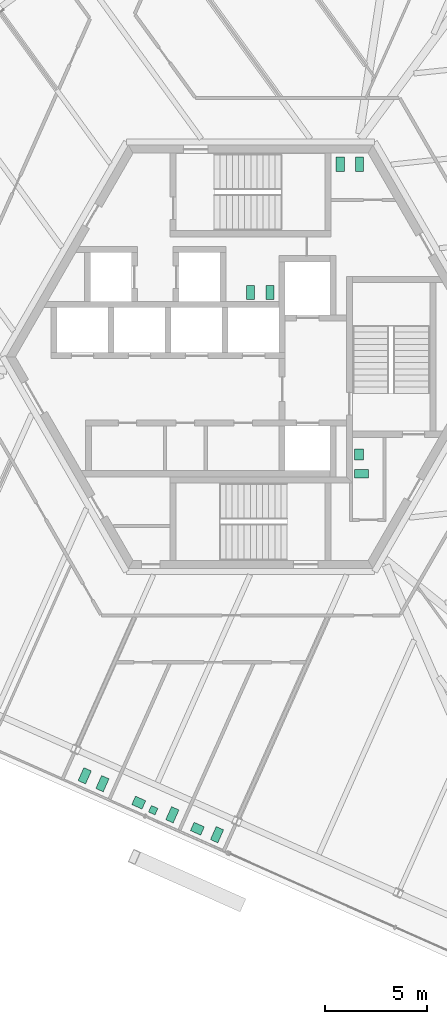
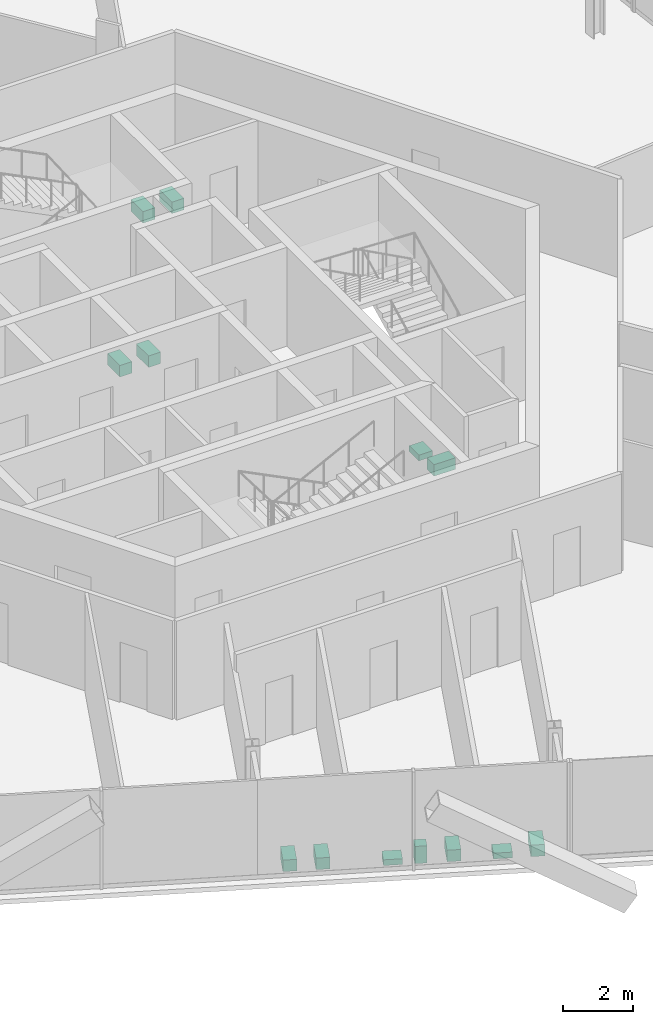
# One storey, part 17 of 19: 13 sanitary terminals.
"""IFC4 building model written with IfcOpenShell, lengths in metres."""

from ifc_helpers import new_model, si_unit, direction, frame, origin, origin_2d, place, context, subcontext, project, spatial, rectangle, extrude, source, transform, mapped, material, element, save


model = new_model("IFC4")

# Units and contexts
model_context = context("Model", 3, precision=1e-05, world=origin(), true_north=direction((0.0, 1.0)))
body_context = subcontext(model_context, "Body", "Model", "MODEL_VIEW")
ifc_project = project(units=[si_unit("LENGTHUNIT", "METRE"), si_unit("AREAUNIT", "SQUARE_METRE"), si_unit("VOLUMEUNIT", "CUBIC_METRE"), si_unit("PLANEANGLEUNIT", "RADIAN"), si_unit("MASSUNIT", "GRAM", prefix="KILO")], contexts=[model_context])

# Site, building, storey
site_placement = place(None, origin())
site = spatial("IfcSite", under=ifc_project, at=site_placement, CompositionType="ELEMENT")
building_placement = place(site_placement, origin())
building = spatial("IfcBuilding", under=site, at=building_placement, Name="Triune Harvest Tower", CompositionType="ELEMENT")
storey_placement = place(building_placement, frame((0.0, 0.0, 69.300048828125)))
storey = spatial("IfcBuildingStorey", under=building, at=storey_placement, Name="L16", CompositionType="ELEMENT", Elevation=69.300048828125)

# Sanitary terminals
ifc_material = material(Name="Vitreous china")
shared_shape_1 = source(origin(), body_context, "Body", "SweptSolid", [
    extrude(rectangle(XDim=0.39990234375, YDim=0.699951171875, at=origin_2d()), origin(), (0.0, 0.0, 1.0), 0.39990234375),
])
for number, where, z_axis, x_axis, name in (
    (1, (4.39990234375, 9.449951171875, 0.0), (0.0, 0.0, 1.0), (1.0, 0.0, 0.0), "Toilet pan L16.c01"),
    (2, (5.35009765625, 9.449951171875, 0.0), (0.0, 0.0, 1.0), (1.0, 0.0, 0.0), "Toilet pan L16.c02"),
    (3, (0.949951171875, 3.159912109375, 0.0), (0.0, 0.0, 1.0), (-1.0, 0.0, 0.0), "Toilet pan L16.c03"),
    (4, (0.0, 3.159912109375, 0.0), (0.0, 0.0, 1.0), (-1.0, 0.0, 0.0), "Toilet pan L16.c04"),
    (5, (5.449951171875, -5.739990234375, 0.0), (0.0, 0.0, 1.0), (0.0, 1.0, 0.0), "Toilet pan L16.c05"),
    (6, (-7.2705078125, -20.951904296875, 0.0), (0.0, 0.0, 1.0), (-0.91353835861, 0.40675258739, 0.0), "Toilet pan 01"),
    (7, (-8.138427734375, -20.5654296875, 0.0), (0.0, 0.0, 1.0), (-0.91353835861, 0.40675258739, 0.0), "Toilet pan 02"),
    (8, (-3.838134765625, -22.480224609375, 0.0), (0.0, 0.0, 1.0), (-0.913552556397, 0.406720698638, 0.0), "Toilet pan 03"),
    (9, (-1.6455078125, -23.456298828125, 0.0), (0.0, 0.0, 1.0), (-0.91353835861, 0.40675258739, 0.0), "Toilet pan 06"),
):
    element("IfcSanitaryTerminal", number, at=place(storey_placement, frame(where, z_axis=z_axis, x_axis=x_axis)), inside=storey, material=ifc_material, Name=name, PredefinedType="TOILETPAN", context=body_context, shape_type="MappedRepresentation", body=[
        mapped(shared_shape_1, transform((0.0, 0.0, 0.0), scale=1.0)),
    ])
shared_shape_2 = source(origin(), body_context, "Body", "SweptSolid", [
    extrude(rectangle(XDim=0.35009765625, YDim=0.35009765625, at=origin_2d()), origin(), (0.0, 0.0, 1.0), 0.60009765625),
])
sanitary_terminal_placement = place(storey_placement, frame((-4.777099609375, -22.253662109375, 0.0), z_axis=(0.0, 0.0, 1.0), x_axis=(-0.913552556397, 0.406720698638, 0.0)))
element("IfcSanitaryTerminal", 10, at=sanitary_terminal_placement, inside=storey, material=ifc_material, Name="Urinal 04", PredefinedType="URINAL", context=body_context, shape_type="MappedRepresentation", body=[
    mapped(shared_shape_2, transform((0.0, 0.0, 0.0), scale=1.0)),
])
shared_shape_3 = source(origin(), body_context, "Body", "SweptSolid", [
    extrude(rectangle(XDim=0.550048828125, YDim=0.449951171875, at=origin_2d()), origin(), (0.0, 0.0, 1.0), 0.199951171875),
])
for number, where, z_axis, x_axis, name in (
    (11, (5.324951171875, -4.7900390625, 0.0), (0.0, 0.0, 1.0), (0.0, 1.0, 0.0), "Wash basin L16.c06"),
    (12, (-5.48779296875, -21.882568359375, 0.0), (0.0, 0.0, 1.0), (-0.913552556397, 0.406720698638, 0.0), "Wash basin 05"),
    (13, (-2.610107421875, -23.163818359375, 0.0), (0.0, 0.0, 1.0), (-0.91353835861, 0.40675258739, 0.0), "Wash basin 07"),
):
    element("IfcSanitaryTerminal", number, at=place(storey_placement, frame(where, z_axis=z_axis, x_axis=x_axis)), inside=storey, material=ifc_material, Name=name, PredefinedType="WASHHANDBASIN", context=body_context, shape_type="MappedRepresentation", body=[
        mapped(shared_shape_3, transform((0.0, 0.0, 0.0), scale=1.0)),
    ])

save(model, "model.ifc")
